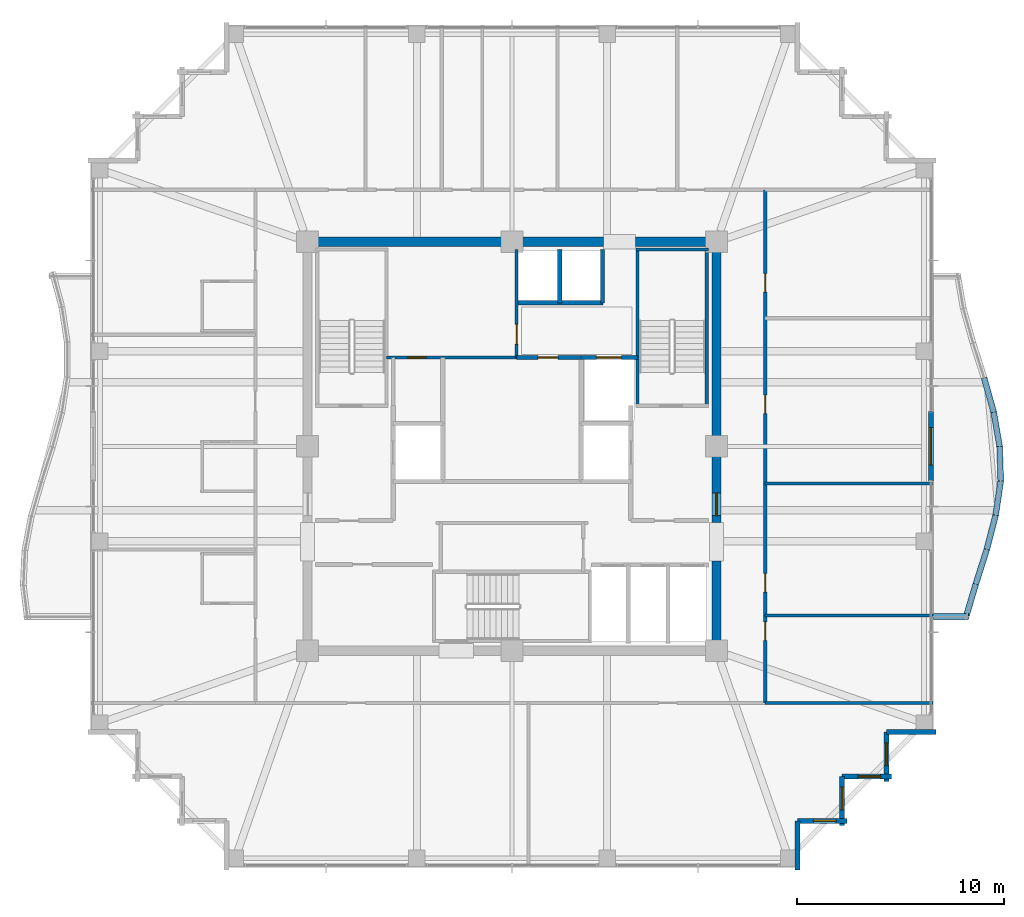
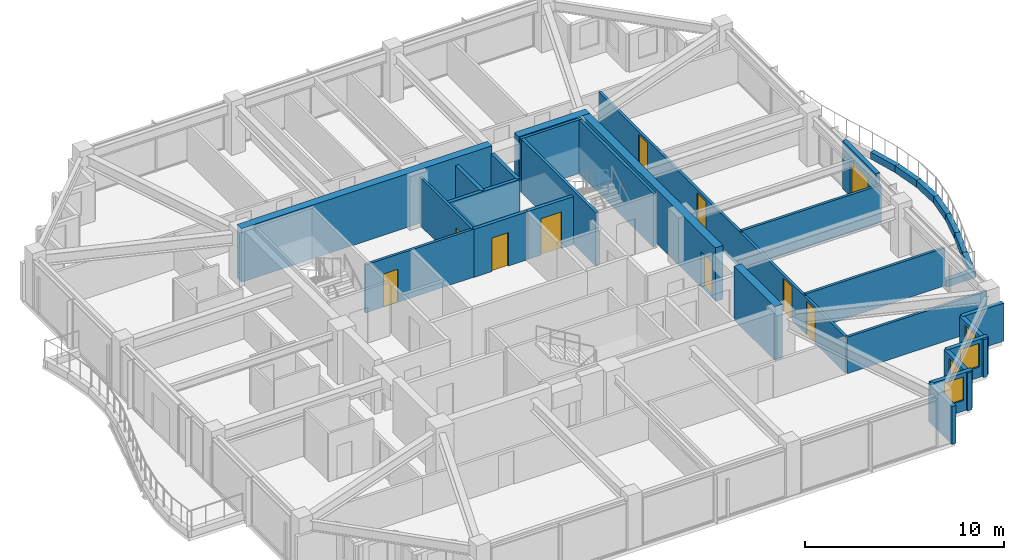
# One storey, part 30 of 34: 33 walls, 10 doors, 4 windows, 14 openings.
"""IFC4 building model written with IfcOpenShell, lengths in metres."""

from ifc_helpers import new_model, si_unit, direction, frame, frame_2d, origin, place, context, subcontext, project, spatial, rectangle, extrude, material, layer, layer_set, type_object, element, fill, save


model = new_model("IFC4")

# Units and contexts
model_context = context("Model", 3, precision=1e-05, world=origin(), true_north=direction((0.0, 1.0)))
body_context = subcontext(model_context, "Body", "Model", "MODEL_VIEW")
ifc_project = project(units=[si_unit("LENGTHUNIT", "METRE"), si_unit("AREAUNIT", "SQUARE_METRE"), si_unit("VOLUMEUNIT", "CUBIC_METRE"), si_unit("PLANEANGLEUNIT", "RADIAN"), si_unit("MASSUNIT", "GRAM", prefix="KILO")], contexts=[model_context])

# Site, building, storey
site_placement = place(None, origin())
site = spatial("IfcSite", under=ifc_project, at=site_placement, CompositionType="ELEMENT")
building_placement = place(site_placement, origin())
building = spatial("IfcBuilding", under=site, at=building_placement, Name="Kolvaren Belvedere", CompositionType="ELEMENT")
storey_placement = place(building_placement, frame((0.0, 0.0, 229.5)))
storey = spatial("IfcBuildingStorey", under=building, at=storey_placement, Name="L67", CompositionType="ELEMENT", Elevation=229.5)

# Walls
ifc_material_1 = material(Name="Concrete C50/60", Category="concrete")
ifc_layer_1 = layer(ifc_material_1, 0.449951171875)
ifc_layer_set_1 = layer_set([ifc_layer_1], Name="Concrete C50/60")
wall_type_1 = type_object("IfcWallType", Name="CW-CORE-450", PredefinedType="SHEAR", material=ifc_layer_set_1)
wall_1_placement = place(storey_placement, frame((-10.125, 9.89990234375, 0.0), z_axis=(0.0, 0.0, 1.0), x_axis=(1.0, 0.0, 0.0)))
element("IfcWall", 1, at=wall_1_placement, inside=storey, type_object=wall_type_1, Name="L67 North Core Shear Wall 1", PredefinedType="SHEAR", context=body_context, shape_type="SweptSolid", body=[
    extrude(rectangle(XDim=14.544921875, YDim=0.449951171875, at=frame_2d((7.2724609375, 0.0))), origin(), (0.0, 0.0, 1.0), 3.300048828125),
])
wall_2_placement = place(storey_placement, frame((5.97998046875, 9.89990234375, 0.0), z_axis=(0.0, 0.0, 1.0), x_axis=(1.0, 0.0, 0.0)))
element("IfcWall", 2, at=wall_2_placement, inside=storey, type_object=wall_type_1, Name="L67 North Core Shear Wall 2", PredefinedType="SHEAR", context=body_context, shape_type="SweptSolid", body=[
    extrude(rectangle(XDim=4.14501953125, YDim=0.449951171875, at=frame_2d((2.072509765625, 0.0))), origin(), (0.0, 0.0, 1.0), 3.300048828125),
])
wall_3_placement = place(storey_placement, frame((9.89990234375, -9.675048828125, 0.0), z_axis=(0.0, 0.0, 1.0), x_axis=(0.0, 1.0, 0.0)))
element("IfcWall", 3, at=wall_3_placement, inside=storey, type_object=wall_type_1, Name="L67 East Core Shear Wall 1", PredefinedType="SHEAR", context=body_context, shape_type="SweptSolid", body=[
    extrude(rectangle(XDim=4.125, YDim=0.449951171875, at=frame_2d((2.0625, 0.0))), origin(), (0.0, 0.0, 1.0), 3.300048828125),
])

# Wall, opening, door
wall_4_placement = place(storey_placement, frame((9.89990234375, -3.699951171875, 0.0), z_axis=(0.0, 0.0, 1.0), x_axis=(0.0, 1.0, 0.0)))
wall_4 = element("IfcWall", 4, at=wall_4_placement, inside=storey, type_object=wall_type_1, Name="L67 East Core Shear Wall 2", PredefinedType="SHEAR", context=body_context, shape_type="SweptSolid", body=[
    extrude(rectangle(XDim=13.375, YDim=0.449951171875, at=frame_2d((6.6875, 0.0))), origin(), (0.0, 0.0, 1.0), 3.300048828125),
])
opening_1_placement = place(wall_4_placement, frame((0.35009765625, 0.0, 0.0)))
opening_1 = element("IfcOpeningElement", 5, at=opening_1_placement, cuts=wall_4, Name="Opening D-FD90", PredefinedType="OPENING", context=body_context, shape_type="SweptSolid", body=[
    extrude(rectangle(XDim=1.10009765625, YDim=2.199951171875, at=frame_2d((0.550048828125, 1.10009765625))), frame((0.0, 0.23486328125, 0.0), z_axis=(0.0, -1.0, 0.0), x_axis=(1.0, 0.0, 0.0)), (0.0, 0.0, 1.0), 0.469970703125),
])
ifc_material_2 = material(Name="Painted hollow stainless steel", Category="steel")
door_type_1 = type_object("IfcDoorType", Name="DR-FD90-1100", OperationType="NOTDEFINED", PredefinedType="DOOR", material=ifc_material_2)
door_1_placement = place(opening_1_placement, origin())
door_1 = element("IfcDoor", 6, at=door_1_placement, inside=storey, type_object=door_type_1, Name="L67 East Firefighting Lobby Fire Door", OperationType="SINGLE_SWING_RIGHT", OverallHeight=2.199951171875, OverallWidth=1.10009765625, PredefinedType="DOOR", context=body_context, shape_type="SweptSolid", body=[
    extrude(rectangle(XDim=1.10009765625, YDim=2.199951171875, at=frame_2d((0.550048828125, 1.10009765625))), frame((0.0, 0.02490234375, 0.0), z_axis=(0.0, -1.0, 0.0), x_axis=(1.0, 0.0, 0.0)), (0.0, 0.0, 1.0), 0.050048828125),
])
fill(opening_1, door_1)

# Walls
ifc_material_3 = material(Name="Concrete C50/60", Category="concrete")
ifc_layer_2 = layer(ifc_material_3, 0.159912109375)
ifc_layer_set_2 = layer_set([ifc_layer_2], Name="Concrete C50/60")
wall_type_2 = type_object("IfcWallType", Name="CW-STAIR-160", PredefinedType="SHEAR", material=ifc_layer_set_2)
wall_5_placement = place(storey_placement, frame((6.0, 9.530029296875, 0.0), z_axis=(0.0, 0.0, 1.0), x_axis=(1.0, 0.0, 0.0)))
element("IfcWall", 7, at=wall_5_placement, inside=storey, type_object=wall_type_2, Name="L67 Stair ST-2 North Shear Wall", PredefinedType="SHEAR", context=body_context, shape_type="SweptSolid", body=[
    extrude(rectangle(XDim=3.52001953125, YDim=0.159912109375, at=frame_2d((1.760009765625, 0.0))), origin(), (0.0, 0.0, 1.0), 3.300048828125),
])
for number, where, z_axis, x_axis, name in (
    (8, (6.080078125, 1.969970703125, 0.0), (0.0, 0.0, 1.0), (0.0, 1.0, 0.0), "L67 Stair ST-2 West Shear Wall"),
    (9, (9.429931640625, 1.969970703125, 0.0), (0.0, 0.0, 1.0), (0.0, 1.0, 0.0), "L67 Stair ST-2 East Shear Wall"),
):
    element("IfcWall", number, at=place(storey_placement, frame(where, z_axis=z_axis, x_axis=x_axis)), inside=storey, type_object=wall_type_2, Name=name, PredefinedType="SHEAR", context=body_context, shape_type="SweptSolid", body=[
        extrude(rectangle(XDim=7.56005859375, YDim=0.159912109375, at=frame_2d((3.780029296875, 0.0))), origin(), (0.0, 0.0, 1.0), 3.300048828125),
    ])

# Wall, openings, doors
ifc_material_4 = material(Name="Gypsum fire-rated partition assembly", Category="gypsum")
ifc_layer_3 = layer(ifc_material_4, 0.14990234375)
ifc_layer_set_3 = layer_set([ifc_layer_3], Name="Gypsum fire-rated partition assembly")
wall_type_3 = type_object("IfcWallType", Name="WL-CORR-150", PredefinedType="PARTITIONING", material=ifc_layer_set_3)
wall_6_placement = place(storey_placement, frame((12.260009765625, -12.419921875, 0.0), z_axis=(0.0, 0.0, 1.0), x_axis=(0.0, 1.0, 0.0)))
wall_6 = element("IfcWall", 10, at=wall_6_placement, inside=storey, type_object=wall_type_3, Name="L67 East Corridor Wall", PredefinedType="PARTITIONING", context=body_context, shape_type="SweptSolid", body=[
    extrude(rectangle(XDim=24.83984375, YDim=0.14990234375, at=frame_2d((12.419921875, 0.0))), origin(), (0.0, 0.0, 1.0), 2.239013671875),
])
opening_2_placement = place(wall_6_placement, frame((3.0244140625, 0.0, 0.0)))
opening_2 = element("IfcOpeningElement", 11, at=opening_2_placement, cuts=wall_6, Name="Opening D-INT90", PredefinedType="OPENING", context=body_context, shape_type="SweptSolid", body=[
    extrude(rectangle(XDim=0.89990234375, YDim=2.06005859375, at=frame_2d((0.449951171875, 1.030029296875))), frame((0.0, 0.0849609375, 0.0), z_axis=(0.0, -1.0, 0.0), x_axis=(1.0, 0.0, 0.0)), (0.0, 0.0, 1.0), 0.169921875),
])
opening_3_placement = place(wall_6_placement, frame((5.359375, 0.0, 0.0)))
opening_3 = element("IfcOpeningElement", 12, at=opening_3_placement, cuts=wall_6, Name="Opening D-INT90", PredefinedType="OPENING", context=body_context, shape_type="SweptSolid", body=[
    extrude(rectangle(XDim=0.89990234375, YDim=2.06005859375, at=frame_2d((0.449951171875, 1.030029296875))), frame((0.0, 0.0849609375, 0.0), z_axis=(0.0, -1.0, 0.0), x_axis=(1.0, 0.0, 0.0)), (0.0, 0.0, 1.0), 0.169921875),
])
opening_4_placement = place(wall_6_placement, frame((14.0, 0.0, 0.0)))
opening_4 = element("IfcOpeningElement", 13, at=opening_4_placement, cuts=wall_6, Name="Opening D-INT90", PredefinedType="OPENING", context=body_context, shape_type="SweptSolid", body=[
    extrude(rectangle(XDim=0.89990234375, YDim=2.06005859375, at=frame_2d((0.449951171875, 1.030029296875))), frame((0.0, 0.0849609375, 0.0), z_axis=(0.0, -1.0, 0.0), x_axis=(1.0, 0.0, 0.0)), (0.0, 0.0, 1.0), 0.169921875),
])
opening_5_placement = place(wall_6_placement, frame((19.880615234375, 0.0, 0.0)))
opening_5 = element("IfcOpeningElement", 14, at=opening_5_placement, cuts=wall_6, Name="Opening D-INT90", PredefinedType="OPENING", context=body_context, shape_type="SweptSolid", body=[
    extrude(rectangle(XDim=0.89990234375, YDim=2.06005859375, at=frame_2d((0.449951171875, 1.030029296875))), frame((0.0, 0.0849609375, 0.0), z_axis=(0.0, -1.0, 0.0), x_axis=(1.0, 0.0, 0.0)), (0.0, 0.0, 1.0), 0.169921875),
])
ifc_material_5 = material(Name="Stained Pacific white oak", Category="timber")
door_type_2 = type_object("IfcDoorType", Name="DR-INT-900", OperationType="NOTDEFINED", PredefinedType="DOOR", material=ifc_material_5)
door_2_placement = place(opening_2_placement, origin())
door_2 = element("IfcDoor", 15, at=door_2_placement, inside=storey, type_object=door_type_2, Name="L67 Private Hospitality Meeting Room 6703 Door", OperationType="SINGLE_SWING_RIGHT", OverallHeight=2.06005859375, OverallWidth=0.89990234375, PredefinedType="DOOR", context=body_context, shape_type="SweptSolid", body=[
    extrude(rectangle(XDim=0.89990234375, YDim=2.06005859375, at=frame_2d((0.449951171875, 1.030029296875))), frame((0.0, 0.02490234375, 0.0), z_axis=(0.0, -1.0, 0.0), x_axis=(1.0, 0.0, 0.0)), (0.0, 0.0, 1.0), 0.050048828125),
])
fill(opening_2, door_2)
door_3_placement = place(opening_3_placement, origin())
door_3 = element("IfcDoor", 16, at=door_3_placement, inside=storey, type_object=door_type_2, Name="L67 Panoramic Quiet Lounge 6704 Door", OperationType="SINGLE_SWING_LEFT", OverallHeight=2.06005859375, OverallWidth=0.89990234375, PredefinedType="DOOR", context=body_context, shape_type="SweptSolid", body=[
    extrude(rectangle(XDim=0.89990234375, YDim=2.06005859375, at=frame_2d((0.449951171875, 1.030029296875))), frame((0.0, 0.02490234375, 0.0), z_axis=(0.0, -1.0, 0.0), x_axis=(1.0, 0.0, 0.0)), (0.0, 0.0, 1.0), 0.050048828125),
])
fill(opening_3, door_3)
door_4_placement = place(opening_4_placement, origin())
door_4 = element("IfcDoor", 17, at=door_4_placement, inside=storey, type_object=door_type_2, Name="L67 Botanical Reading Salon 6705 Door", OperationType="SINGLE_SWING_RIGHT", OverallHeight=2.06005859375, OverallWidth=0.89990234375, PredefinedType="DOOR", context=body_context, shape_type="SweptSolid", body=[
    extrude(rectangle(XDim=0.89990234375, YDim=2.06005859375, at=frame_2d((0.449951171875, 1.030029296875))), frame((0.0, 0.02490234375, 0.0), z_axis=(0.0, -1.0, 0.0), x_axis=(1.0, 0.0, 0.0)), (0.0, 0.0, 1.0), 0.050048828125),
])
fill(opening_4, door_4)
door_5_placement = place(opening_5_placement, origin())
door_5 = element("IfcDoor", 18, at=door_5_placement, inside=storey, type_object=door_type_2, Name="L67 Lounge 6706 Door", OperationType="SINGLE_SWING_LEFT", OverallHeight=2.06005859375, OverallWidth=0.89990234375, PredefinedType="DOOR", context=body_context, shape_type="SweptSolid", body=[
    extrude(rectangle(XDim=0.89990234375, YDim=2.06005859375, at=frame_2d((0.449951171875, 1.030029296875))), frame((0.0, 0.02490234375, 0.0), z_axis=(0.0, -1.0, 0.0), x_axis=(1.0, 0.0, 0.0)), (0.0, 0.0, 1.0), 0.050048828125),
])
fill(opening_5, door_5)

# Wall
ifc_material_6 = material(Name="Insulated pale-metal facade wall assembly", Category="aluminium")
ifc_layer_4 = layer(ifc_material_6, 0.239990234375)
ifc_layer_set_4 = layer_set([ifc_layer_4], Name="Insulated pale-metal facade wall assembly")
wall_type_4 = type_object("IfcWallType", Name="WL-EXT-240", PredefinedType="STANDARD", material=ifc_layer_set_4)
wall_7_placement = place(storey_placement, frame((13.830078125, -18.1298828125, 0.0), z_axis=(0.0, 0.0, 1.0), x_axis=(0.0, -1.0, 0.0)))
element("IfcWall", 19, at=wall_7_placement, inside=storey, type_object=wall_type_4, Name="L67 Serrated Corner Facade Wall 2", PredefinedType="STANDARD", context=body_context, shape_type="SweptSolid", body=[
    extrude(rectangle(XDim=2.39013671875, YDim=0.239990234375, at=frame_2d((1.195068359375, 0.0))), origin(), (0.0, 0.0, 1.0), 2.3330078125),
])

# Wall, opening, window
wall_8_placement = place(storey_placement, frame((16.219970703125, -18.1298828125, 0.0), z_axis=(0.0, 0.0, 1.0), x_axis=(-1.0, 0.0, 0.0)))
wall_8 = element("IfcWall", 20, at=wall_8_placement, inside=storey, type_object=wall_type_4, Name="L67 Serrated Corner Facade Wall 3", PredefinedType="STANDARD", context=body_context, shape_type="SweptSolid", body=[
    extrude(rectangle(XDim=2.389892578125, YDim=0.239990234375, at=frame_2d((1.19482421875, 0.0))), origin(), (0.0, 0.0, 1.0), 2.3330078125),
])
opening_6_placement = place(wall_8_placement, frame((0.52490234375, 0.0, 0.64990234375)))
opening_6 = element("IfcOpeningElement", 21, at=opening_6_placement, cuts=wall_8, Name="Opening W-1100", PredefinedType="OPENING", context=body_context, shape_type="SweptSolid", body=[
    extrude(rectangle(XDim=1.10009765625, YDim=1.449951171875, at=frame_2d((0.550048828125, 0.72509765625))), frame((0.0, 0.1298828125, 0.0), z_axis=(0.0, -1.0, 0.0), x_axis=(1.0, 0.0, 0.0)), (0.0, 0.0, 1.0), 0.260009765625),
])
ifc_material_7 = material(Name="Low-iron triple insulated glass", Category="glass")
window_type = type_object("IfcWindowType", Name="WN-CORN-1100", PartitioningType="SINGLE_PANEL", PredefinedType="WINDOW", material=ifc_material_7)
window_1_placement = place(opening_6_placement, origin())
window_1 = element("IfcWindow", 22, at=window_1_placement, inside=storey, type_object=window_type, Name="L67 Serrated Corner Vision Window 3", OverallHeight=1.449951171875, OverallWidth=1.10009765625, PartitioningType="SINGLE_PANEL", PredefinedType="WINDOW", context=body_context, shape_type="SweptSolid", body=[
    extrude(rectangle(XDim=1.10009765625, YDim=1.449951171875, at=frame_2d((0.550048828125, 0.72509765625))), frame((0.0, 0.030029296875, 0.0), z_axis=(0.0, -1.0, 0.0), x_axis=(1.0, 0.0, 0.0)), (0.0, 0.0, 1.0), 0.06005859375),
])
fill(opening_6, window_1)

wall_9_placement = place(storey_placement, frame((15.97998046875, -15.97998046875, 0.0), z_axis=(0.0, 0.0, 1.0), x_axis=(0.0, -1.0, 0.0)))
wall_9 = element("IfcWall", 23, at=wall_9_placement, inside=storey, type_object=wall_type_4, Name="L67 Serrated Corner Facade Wall 4", PredefinedType="STANDARD", context=body_context, shape_type="SweptSolid", body=[
    extrude(rectangle(XDim=2.39013671875, YDim=0.239990234375, at=frame_2d((1.195068359375, 0.0))), origin(), (0.0, 0.0, 1.0), 2.3330078125),
])
opening_7_placement = place(wall_9_placement, frame((0.52490234375, 0.0, 0.64990234375)))
opening_7 = element("IfcOpeningElement", 24, at=opening_7_placement, cuts=wall_9, Name="Opening W-1100", PredefinedType="OPENING", context=body_context, shape_type="SweptSolid", body=[
    extrude(rectangle(XDim=1.10009765625, YDim=1.449951171875, at=frame_2d((0.550048828125, 0.72509765625))), frame((0.0, 0.1298828125, 0.0), z_axis=(0.0, -1.0, 0.0), x_axis=(1.0, 0.0, 0.0)), (0.0, 0.0, 1.0), 0.260009765625),
])
window_2_placement = place(opening_7_placement, origin())
window_2 = element("IfcWindow", 25, at=window_2_placement, inside=storey, type_object=window_type, Name="L67 Serrated Corner Vision Window 4", OverallHeight=1.449951171875, OverallWidth=1.10009765625, PartitioningType="SINGLE_PANEL", PredefinedType="WINDOW", context=body_context, shape_type="SweptSolid", body=[
    extrude(rectangle(XDim=1.10009765625, YDim=1.449951171875, at=frame_2d((0.550048828125, 0.72509765625))), frame((0.0, 0.030029296875, 0.0), z_axis=(0.0, -1.0, 0.0), x_axis=(1.0, 0.0, 0.0)), (0.0, 0.0, 1.0), 0.06005859375),
])
fill(opening_7, window_2)

wall_10_placement = place(storey_placement, frame((18.3701171875, -15.97998046875, 0.0), z_axis=(0.0, 0.0, 1.0), x_axis=(-1.0, 0.0, 0.0)))
wall_10 = element("IfcWall", 26, at=wall_10_placement, inside=storey, type_object=wall_type_4, Name="L67 Serrated Corner Facade Wall 5", PredefinedType="STANDARD", context=body_context, shape_type="SweptSolid", body=[
    extrude(rectangle(XDim=2.39013671875, YDim=0.239990234375, at=frame_2d((1.195068359375, 0.0))), origin(), (0.0, 0.0, 1.0), 2.3330078125),
])
opening_8_placement = place(wall_10_placement, frame((0.52490234375, 0.0, 0.64990234375)))
opening_8 = element("IfcOpeningElement", 27, at=opening_8_placement, cuts=wall_10, Name="Opening W-1100", PredefinedType="OPENING", context=body_context, shape_type="SweptSolid", body=[
    extrude(rectangle(XDim=1.10009765625, YDim=1.449951171875, at=frame_2d((0.550048828125, 0.72509765625))), frame((0.0, 0.1298828125, 0.0), z_axis=(0.0, -1.0, 0.0), x_axis=(1.0, 0.0, 0.0)), (0.0, 0.0, 1.0), 0.260009765625),
])
window_3_placement = place(opening_8_placement, origin())
window_3 = element("IfcWindow", 28, at=window_3_placement, inside=storey, type_object=window_type, Name="L67 Serrated Corner Vision Window 5", OverallHeight=1.449951171875, OverallWidth=1.10009765625, PartitioningType="SINGLE_PANEL", PredefinedType="WINDOW", context=body_context, shape_type="SweptSolid", body=[
    extrude(rectangle(XDim=1.10009765625, YDim=1.449951171875, at=frame_2d((0.550048828125, 0.72509765625))), frame((0.0, 0.030029296875, 0.0), z_axis=(0.0, -1.0, 0.0), x_axis=(1.0, 0.0, 0.0)), (0.0, 0.0, 1.0), 0.06005859375),
])
fill(opening_8, window_3)

wall_11_placement = place(storey_placement, frame((18.1298828125, -13.830078125, 0.0), z_axis=(0.0, 0.0, 1.0), x_axis=(0.0, -1.0, 0.0)))
wall_11 = element("IfcWall", 29, at=wall_11_placement, inside=storey, type_object=wall_type_4, Name="L67 Serrated Corner Facade Wall 6", PredefinedType="STANDARD", context=body_context, shape_type="SweptSolid", body=[
    extrude(rectangle(XDim=2.389892578125, YDim=0.239990234375, at=frame_2d((1.19482421875, 0.0))), origin(), (0.0, 0.0, 1.0), 2.3330078125),
])
opening_9_placement = place(wall_11_placement, frame((0.52490234375, 0.0, 0.64990234375)))
opening_9 = element("IfcOpeningElement", 30, at=opening_9_placement, cuts=wall_11, Name="Opening W-1100", PredefinedType="OPENING", context=body_context, shape_type="SweptSolid", body=[
    extrude(rectangle(XDim=1.10009765625, YDim=1.449951171875, at=frame_2d((0.550048828125, 0.72509765625))), frame((0.0, 0.1298828125, 0.0), z_axis=(0.0, -1.0, 0.0), x_axis=(1.0, 0.0, 0.0)), (0.0, 0.0, 1.0), 0.260009765625),
])
window_4_placement = place(opening_9_placement, origin())
window_4 = element("IfcWindow", 31, at=window_4_placement, inside=storey, type_object=window_type, Name="L67 Serrated Corner Vision Window 6", OverallHeight=1.449951171875, OverallWidth=1.10009765625, PartitioningType="SINGLE_PANEL", PredefinedType="WINDOW", context=body_context, shape_type="SweptSolid", body=[
    extrude(rectangle(XDim=1.10009765625, YDim=1.449951171875, at=frame_2d((0.550048828125, 0.72509765625))), frame((0.0, 0.030029296875, 0.0), z_axis=(0.0, -1.0, 0.0), x_axis=(1.0, 0.0, 0.0)), (0.0, 0.0, 1.0), 0.06005859375),
])
fill(opening_9, window_4)

# Wall
wall_12_placement = place(storey_placement, frame((20.52001953125, -13.830078125, 0.0), z_axis=(0.0, 0.0, 1.0), x_axis=(-1.0, 0.0, 0.0)))
element("IfcWall", 32, at=wall_12_placement, inside=storey, type_object=wall_type_4, Name="L67 Serrated Corner Facade Wall 7", PredefinedType="STANDARD", context=body_context, shape_type="SweptSolid", body=[
    extrude(rectangle(XDim=2.39013671875, YDim=0.239990234375, at=frame_2d((1.195068359375, 0.0))), origin(), (0.0, 0.0, 1.0), 2.3330078125),
])

# Wall, opening, door
wall_13_placement = place(storey_placement, frame((20.280029296875, 1.679931640625, 0.0), z_axis=(0.0, 0.0, 1.0), x_axis=(0.0, -1.0, 0.0)))
wall_13 = element("IfcWall", 33, at=wall_13_placement, inside=storey, type_object=wall_type_4, Name="L67 East Terrace Portal Wall", PredefinedType="STANDARD", context=body_context, shape_type="SweptSolid", body=[
    extrude(rectangle(XDim=3.35986328125, YDim=0.239990234375, at=frame_2d((1.679931640625, 0.0))), origin(), (0.0, 0.0, 1.0), 2.949951171875),
])
opening_10_placement = place(wall_13_placement, frame((0.780029296875, 0.0, 0.0)))
opening_10 = element("IfcOpeningElement", 34, at=opening_10_placement, cuts=wall_13, Name="Opening DB-1800", PredefinedType="OPENING", context=body_context, shape_type="SweptSolid", body=[
    extrude(rectangle(XDim=1.800048828125, YDim=2.199951171875, at=frame_2d((0.89990234375, 1.10009765625))), frame((0.0, 0.1298828125, 0.0), z_axis=(0.0, -1.0, 0.0), x_axis=(1.0, 0.0, 0.0)), (0.0, 0.0, 1.0), 0.260009765625),
])
ifc_material_8 = material(Name="Thermally broken pale-metal aluminium & low-iron glass", Category="aluminium")
door_type_3 = type_object("IfcDoorType", Name="DR-BAL-1800", OperationType="DOUBLE_DOOR_SLIDING", PredefinedType="DOOR", material=ifc_material_8)
door_6_placement = place(opening_10_placement, origin())
door_6 = element("IfcDoor", 35, at=door_6_placement, inside=storey, type_object=door_type_3, Name="L67 East Planted Terrace Sliding Door", OperationType="DOUBLE_DOOR_SLIDING", OverallHeight=2.199951171875, OverallWidth=1.800048828125, PredefinedType="DOOR", context=body_context, shape_type="SweptSolid", body=[
    extrude(rectangle(XDim=1.800048828125, YDim=2.199951171875, at=frame_2d((0.89990234375, 1.10009765625))), frame((0.0, 0.02490234375, 0.0), z_axis=(0.0, -1.0, 0.0), x_axis=(1.0, 0.0, 0.0)), (0.0, 0.0, 1.0), 0.050048828125),
])
fill(opening_10, door_6)

ifc_material_9 = material(Name="Gypsum acoustic partition assembly", Category="gypsum")
ifc_layer_5 = layer(ifc_material_9, 0.14990234375)
ifc_layer_set_5 = layer_set([ifc_layer_5], Name="Gypsum acoustic partition assembly")
wall_type_5 = type_object("IfcWallType", Name="WL-PART-150", PredefinedType="PARTITIONING", material=ifc_layer_set_5)
wall_14_placement = place(storey_placement, frame((-6.080078125, 4.300048828125, 0.0), z_axis=(0.0, 0.0, 1.0), x_axis=(1.0, 0.0, 0.0)))
wall_14 = element("IfcWall", 36, at=wall_14_placement, inside=storey, type_object=wall_type_5, Name="L67 Reclaimed Salon South Wall", PredefinedType="PARTITIONING", context=body_context, shape_type="SweptSolid", body=[
    extrude(rectangle(XDim=6.300048828125, YDim=0.14990234375, at=frame_2d((3.14990234375, 0.0))), origin(), (0.0, 0.0, 1.0), 2.949951171875),
])
opening_11_placement = place(wall_14_placement, frame((1.050048828125, 0.0, 0.0)))
opening_11 = element("IfcOpeningElement", 37, at=opening_11_placement, cuts=wall_14, Name="Opening D-INT85", PredefinedType="OPENING", context=body_context, shape_type="SweptSolid", body=[
    extrude(rectangle(XDim=0.85009765625, YDim=2.030029296875, at=frame_2d((0.425048828125, 1.01513671875))), frame((0.0, 0.0849609375, 0.0), z_axis=(0.0, -1.0, 0.0), x_axis=(1.0, 0.0, 0.0)), (0.0, 0.0, 1.0), 0.169921875),
])
ifc_material_10 = material(Name="Stained Pacific white oak", Category="timber")
door_type_4 = type_object("IfcDoorType", Name="DR-INT-850", OperationType="NOTDEFINED", PredefinedType="DOOR", material=ifc_material_10)
door_7_placement = place(opening_11_placement, origin())
door_7 = element("IfcDoor", 38, at=door_7_placement, inside=storey, type_object=door_type_4, Name="L67 NW Core Store Door", OperationType="SINGLE_SWING_RIGHT", OverallHeight=2.030029296875, OverallWidth=0.85009765625, PredefinedType="DOOR", context=body_context, shape_type="SweptSolid", body=[
    extrude(rectangle(XDim=0.85009765625, YDim=2.030029296875, at=frame_2d((0.425048828125, 1.01513671875))), frame((0.0, 0.02490234375, 0.0), z_axis=(0.0, -1.0, 0.0), x_axis=(1.0, 0.0, 0.0)), (0.0, 0.0, 1.0), 0.050048828125),
])
fill(opening_11, door_7)

wall_15_placement = place(storey_placement, frame((0.219970703125, 4.300048828125, 0.0), z_axis=(0.0, 0.0, 1.0), x_axis=(0.0, 1.0, 0.0)))
wall_15 = element("IfcWall", 39, at=wall_15_placement, inside=storey, type_object=wall_type_5, Name="L67 Reclaimed Salon East Wall", PredefinedType="PARTITIONING", context=body_context, shape_type="SweptSolid", body=[
    extrude(rectangle(XDim=5.219970703125, YDim=0.14990234375, at=frame_2d((2.60986328125, 0.0))), origin(), (0.0, 0.0, 1.0), 2.949951171875),
])
opening_12_placement = place(wall_15_placement, frame((0.64990234375, 0.0, 0.0)))
opening_12 = element("IfcOpeningElement", 40, at=opening_12_placement, cuts=wall_15, Name="Opening D-INT95", PredefinedType="OPENING", context=body_context, shape_type="SweptSolid", body=[
    extrude(rectangle(XDim=0.949951171875, YDim=2.06005859375, at=frame_2d((0.47509765625, 1.030029296875))), frame((0.0, 0.0849609375, 0.0), z_axis=(0.0, -1.0, 0.0), x_axis=(1.0, 0.0, 0.0)), (0.0, 0.0, 1.0), 0.169921875),
])
ifc_material_11 = material(Name="Stained Pacific white oak", Category="timber")
door_type_5 = type_object("IfcDoorType", Name="DR-INT-950", OperationType="NOTDEFINED", PredefinedType="DOOR", material=ifc_material_11)
door_8_placement = place(opening_12_placement, origin())
door_8 = element("IfcDoor", 41, at=door_8_placement, inside=storey, type_object=door_type_5, Name="L67 Botanical Reading Salon Door", OperationType="SINGLE_SWING_LEFT", OverallHeight=2.06005859375, OverallWidth=0.949951171875, PredefinedType="DOOR", context=body_context, shape_type="SweptSolid", body=[
    extrude(rectangle(XDim=0.949951171875, YDim=2.06005859375, at=frame_2d((0.47509765625, 1.030029296875))), frame((0.0, 0.02490234375, 0.0), z_axis=(0.0, -1.0, 0.0), x_axis=(1.0, 0.0, 0.0)), (0.0, 0.0, 1.0), 0.050048828125),
])
fill(opening_12, door_8)

# Walls
wall_16_placement = place(storey_placement, frame((12.260009765625, -12.419921875, 0.0), z_axis=(0.0, 0.0, 1.0), x_axis=(1.0, 0.0, 0.0)))
element("IfcWall", 42, at=wall_16_placement, inside=storey, type_object=wall_type_5, Name="L67 Wing Divider PW-L67-QSE", PredefinedType="PARTITIONING", context=body_context, shape_type="SweptSolid", body=[
    extrude(rectangle(XDim=8.119873046875, YDim=0.14990234375, at=frame_2d((4.06005859375, 0.0))), origin(), (0.0, 0.0, 1.0), 2.239013671875),
])
for number, where, z_axis, x_axis, name in (
    (43, (12.260009765625, -8.199951171875, 0.0), (0.0, 0.0, 1.0), (1.0, 0.0, 0.0), "L67 East Suite Demising Wall 1"),
    (44, (12.260009765625, -1.800048828125, 0.0), (0.0, 0.0, 1.0), (1.0, 0.0, 0.0), "L67 East Suite Demising Wall 2"),
):
    element("IfcWall", number, at=place(storey_placement, frame(where, z_axis=z_axis, x_axis=x_axis)), inside=storey, type_object=wall_type_5, Name=name, PredefinedType="PARTITIONING", context=body_context, shape_type="SweptSolid", body=[
        extrude(rectangle(XDim=8.119873046875, YDim=0.14990234375, at=frame_2d((4.06005859375, 0.0))), origin(), (0.0, 0.0, 1.0), 2.322998046875),
    ])
ifc_material_12 = material(Name="Precast concrete C40/50", Category="concrete")
ifc_layer_6 = layer(ifc_material_12, 0.300048828125)
ifc_layer_set_6 = layer_set([ifc_layer_6], Name="Precast concrete C40/50")
wall_type_6 = type_object("IfcWallType", Name="WL-PLANTER-300", PredefinedType="PARAPET", material=ifc_layer_set_6)
wall_17_placement = place(storey_placement, frame((21.951904296875, -8.3544921875, -0.0400390625), z_axis=(0.0, 0.0, 1.0), x_axis=(0.284842289601, 0.958574394638, 0.0)))
element("IfcWall", 45, at=wall_17_placement, inside=storey, type_object=wall_type_6, Name="L67 Precast Structural Planter Wall BAL-E-1", PredefinedType="PARAPET", context=body_context, shape_type="SweptSolid", body=[
    extrude(rectangle(XDim=1.752685546875, YDim=0.280029296875, at=frame_2d((0.87646484375, 0.0))), origin(), (0.0, 0.0, 1.0), 0.419921875),
])
wall_18_placement = place(storey_placement, frame((22.4521484375, -6.671630859375, -0.0400390625), z_axis=(0.0, 0.0, 1.0), x_axis=(0.302397356111, 0.953181954832, 0.0)))
element("IfcWall", 46, at=wall_18_placement, inside=storey, type_object=wall_type_6, Name="L67 Precast Structural Planter Wall BAL-E-2", PredefinedType="PARAPET", context=body_context, shape_type="SweptSolid", body=[
    extrude(rectangle(XDim=1.762451171875, YDim=0.280029296875, at=frame_2d((0.88134765625, 0.0))), origin(), (0.0, 0.0, 1.0), 0.419921875),
])
wall_19_placement = place(storey_placement, frame((22.982666015625, -5.0, -0.0400390625), z_axis=(0.0, 0.0, 1.0), x_axis=(0.250405556038, 0.968141031826, 0.0)))
element("IfcWall", 47, at=wall_19_placement, inside=storey, type_object=wall_type_6, Name="L67 Precast Structural Planter Wall BAL-E-3", PredefinedType="PARAPET", context=body_context, shape_type="SweptSolid", body=[
    extrude(rectangle(XDim=1.7353515625, YDim=0.280029296875, at=frame_2d((0.86767578125, 0.0))), origin(), (0.0, 0.0, 1.0), 0.419921875),
])
wall_20_placement = place(storey_placement, frame((23.413818359375, -3.336669921875, -0.0400390625), z_axis=(0.0, 0.0, 1.0), x_axis=(0.145928579368, 0.989295127716, 0.0)))
element("IfcWall", 48, at=wall_20_placement, inside=storey, type_object=wall_type_6, Name="L67 Precast Structural Planter Wall BAL-E-4", PredefinedType="PARAPET", context=body_context, shape_type="SweptSolid", body=[
    extrude(rectangle(XDim=1.697998046875, YDim=0.280029296875, at=frame_2d((0.84912109375, 0.0))), origin(), (0.0, 0.0, 1.0), 0.419921875),
])
wall_21_placement = place(storey_placement, frame((23.66015625, -1.68505859375, -0.0400390625), z_axis=(0.0, 0.0, 1.0), x_axis=(-0.031515868295, 0.999503251643, 0.0)))
element("IfcWall", 49, at=wall_21_placement, inside=storey, type_object=wall_type_6, Name="L67 Precast Structural Planter Wall BAL-E-5", PredefinedType="PARAPET", context=body_context, shape_type="SweptSolid", body=[
    extrude(rectangle(XDim=1.680908203125, YDim=0.280029296875, at=frame_2d((0.84033203125, 0.0))), origin(), (0.0, 0.0, 1.0), 0.419921875),
])
wall_22_placement = place(storey_placement, frame((23.609375, -0.027099609375, -0.0400390625), z_axis=(0.0, 0.0, 1.0), x_axis=(-0.168856484225, 0.985640648378, 0.0)))
element("IfcWall", 50, at=wall_22_placement, inside=storey, type_object=wall_type_6, Name="L67 Precast Structural Planter Wall BAL-E-6", PredefinedType="PARAPET", context=body_context, shape_type="SweptSolid", body=[
    extrude(rectangle(XDim=1.70458984375, YDim=0.280029296875, at=frame_2d((0.852294921875, 0.0))), origin(), (0.0, 0.0, 1.0), 0.419921875),
])
wall_23_placement = place(storey_placement, frame((23.3251953125, 1.63671875, -0.0400390625), z_axis=(0.0, 0.0, 1.0), x_axis=(-0.269764860108, 0.962926227834, 0.0)))
element("IfcWall", 51, at=wall_23_placement, inside=storey, type_object=wall_type_6, Name="L67 Precast Structural Planter Wall BAL-E-7", PredefinedType="PARAPET", context=body_context, shape_type="SweptSolid", body=[
    extrude(rectangle(XDim=1.744873046875, YDim=0.280029296875, at=frame_2d((0.87255859375, 0.0))), origin(), (0.0, 0.0, 1.0), 0.419921875),
])
wall_24_placement = place(storey_placement, frame((20.39990234375, -8.239990234375, -0.0400390625), z_axis=(0.0, 0.0, 1.0), x_axis=(1.0, 0.0, 0.0)))
element("IfcWall", 52, at=wall_24_placement, inside=storey, type_object=wall_type_6, Name="L67 Precast Structural Planter Wall BAL-E-22", PredefinedType="PARAPET", context=body_context, shape_type="SweptSolid", body=[
    extrude(rectangle(XDim=1.705322265625, YDim=0.280029296875, at=frame_2d((0.8525390625, 0.0))), origin(), (0.0, 0.0, 1.0), 0.419921875),
])

# Wall, opening, door
ifc_material_13 = material(Name="Concrete C50/60", Category="concrete")
ifc_layer_7 = layer(ifc_material_13, 0.199951171875)
ifc_layer_set_7 = layer_set([ifc_layer_7], Name="Concrete C50/60")
wall_type_7 = type_object("IfcWallType", Name="WL-SHAFT-200", PredefinedType="SOLIDWALL", material=ifc_layer_set_7)
wall_25_placement = place(storey_placement, frame((3.35009765625, 4.300048828125, 0.0), z_axis=(0.0, 0.0, 1.0), x_axis=(1.0, 0.0, 0.0)))
wall_25 = element("IfcWall", 53, at=wall_25_placement, inside=storey, type_object=wall_type_7, Name="L67 Service Lift SV1 Front Wall", PredefinedType="SOLIDWALL", context=body_context, shape_type="SweptSolid", body=[
    extrude(rectangle(XDim=2.72998046875, YDim=0.199951171875, at=frame_2d((1.364990234375, 0.0))), origin(), (0.0, 0.0, 1.0), 2.949951171875),
])
opening_13_placement = place(wall_25_placement, frame((0.75, 0.0, 0.0)))
opening_13 = element("IfcOpeningElement", 54, at=opening_13_placement, cuts=wall_25, Name="Opening LD-12", PredefinedType="OPENING", context=body_context, shape_type="SweptSolid", body=[
    extrude(rectangle(XDim=1.199951171875, YDim=2.25, at=frame_2d((0.60009765625, 1.125))), frame((0.0, 0.10986328125, 0.0), z_axis=(0.0, -1.0, 0.0), x_axis=(1.0, 0.0, 0.0)), (0.0, 0.0, 1.0), 0.219970703125),
])
ifc_material_14 = material(Name="Brushed stainless steel", Category="steel")
door_type_6 = type_object("IfcDoorType", Name="DR-LIFT-1200", OperationType="DOUBLE_DOOR_SLIDING", PredefinedType="DOOR", material=ifc_material_14)
door_9_placement = place(opening_13_placement, origin())
door_9 = element("IfcDoor", 55, at=door_9_placement, inside=storey, type_object=door_type_6, Name="L67 Service Lift SV1 Landing Door", OperationType="DOUBLE_DOOR_SLIDING", OverallHeight=2.25, OverallWidth=1.199951171875, PredefinedType="DOOR", context=body_context, shape_type="SweptSolid", body=[
    extrude(rectangle(XDim=1.199951171875, YDim=2.25, at=frame_2d((0.60009765625, 1.125))), frame((0.0, 0.02490234375, 0.0), z_axis=(0.0, -1.0, 0.0), x_axis=(1.0, 0.0, 0.0)), (0.0, 0.0, 1.0), 0.050048828125),
])
fill(opening_13, door_9)

# Walls
wall_26_placement = place(storey_placement, frame((0.219970703125, 6.949951171875, 0.0), z_axis=(0.0, 0.0, 1.0), x_axis=(1.0, 0.0, 0.0)))
element("IfcWall", 56, at=wall_26_placement, inside=storey, type_object=wall_type_7, Name="L67 Express Shuttle Hoistway Wall", PredefinedType="SOLIDWALL", context=body_context, shape_type="SweptSolid", body=[
    extrude(rectangle(XDim=4.179931640625, YDim=0.199951171875, at=frame_2d((2.08984375, 0.0))), origin(), (0.0, 0.0, 1.0), 2.949951171875),
])
for number, where, z_axis, x_axis, name in (
    (57, (4.3798828125, 6.949951171875, 0.0), (0.0, 0.0, 1.0), (0.0, 1.0, 0.0), "L67 Express Shuttle East Wall"),
    (58, (2.31005859375, 6.949951171875, 0.0), (0.0, 0.0, 1.0), (0.0, 1.0, 0.0), "L67 Express Shuttle Divider"),
):
    element("IfcWall", number, at=place(storey_placement, frame(where, z_axis=z_axis, x_axis=x_axis)), inside=storey, type_object=wall_type_7, Name=name, PredefinedType="SOLIDWALL", context=body_context, shape_type="SweptSolid", body=[
        extrude(rectangle(XDim=2.570068359375, YDim=0.199951171875, at=frame_2d((1.28515625, 0.0))), origin(), (0.0, 0.0, 1.0), 2.949951171875),
    ])

# Wall, opening, door
wall_27_placement = place(storey_placement, frame((0.219970703125, 4.300048828125, 0.0), z_axis=(0.0, 0.0, 1.0), x_axis=(1.0, 0.0, 0.0)))
wall_27 = element("IfcWall", 59, at=wall_27_placement, inside=storey, type_object=wall_type_7, Name="L67 Central Core Room North Wall", PredefinedType="SOLIDWALL", context=body_context, shape_type="SweptSolid", body=[
    extrude(rectangle(XDim=3.130126953125, YDim=0.199951171875, at=frame_2d((1.56494140625, 0.0))), origin(), (0.0, 0.0, 1.0), 2.949951171875),
])
opening_14_placement = place(wall_27_placement, frame((1.050048828125, 0.0, 0.0)))
opening_14 = element("IfcOpeningElement", 60, at=opening_14_placement, cuts=wall_27, Name="Opening D-FD60", PredefinedType="OPENING", context=body_context, shape_type="SweptSolid", body=[
    extrude(rectangle(XDim=0.949951171875, YDim=2.06005859375, at=frame_2d((0.47509765625, 1.030029296875))), frame((0.0, 0.10986328125, 0.0), z_axis=(0.0, -1.0, 0.0), x_axis=(1.0, 0.0, 0.0)), (0.0, 0.0, 1.0), 0.219970703125),
])
ifc_material_15 = material(Name="Acoustic white-oak fire door leaf", Category="timber")
door_type_7 = type_object("IfcDoorType", Name="DR-FD60-950", OperationType="NOTDEFINED", PredefinedType="DOOR", material=ifc_material_15)
door_10_placement = place(opening_14_placement, origin())
door_10 = element("IfcDoor", 61, at=door_10_placement, inside=storey, type_object=door_type_7, Name="L67 Central Core Controls Door", OperationType="SINGLE_SWING_LEFT", OverallHeight=2.06005859375, OverallWidth=0.949951171875, PredefinedType="DOOR", context=body_context, shape_type="SweptSolid", body=[
    extrude(rectangle(XDim=0.949951171875, YDim=2.06005859375, at=frame_2d((0.47509765625, 1.030029296875))), frame((0.0, 0.02490234375, 0.0), z_axis=(0.0, -1.0, 0.0), x_axis=(1.0, 0.0, 0.0)), (0.0, 0.0, 1.0), 0.050048828125),
])
fill(opening_14, door_10)

save(model, "model.ifc")
